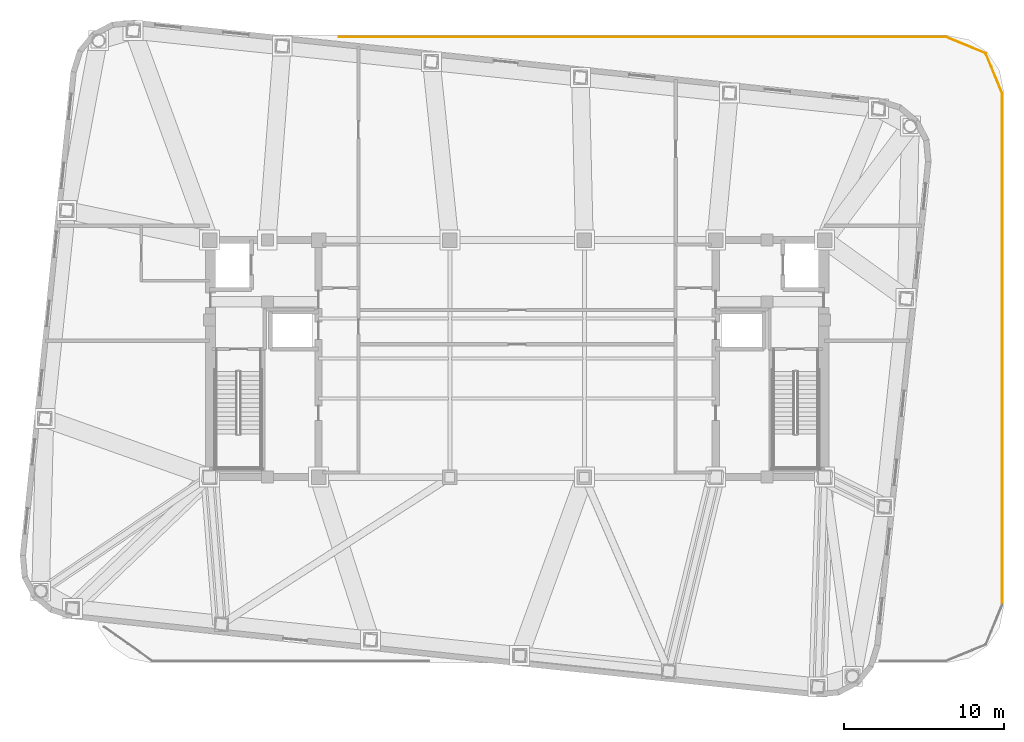
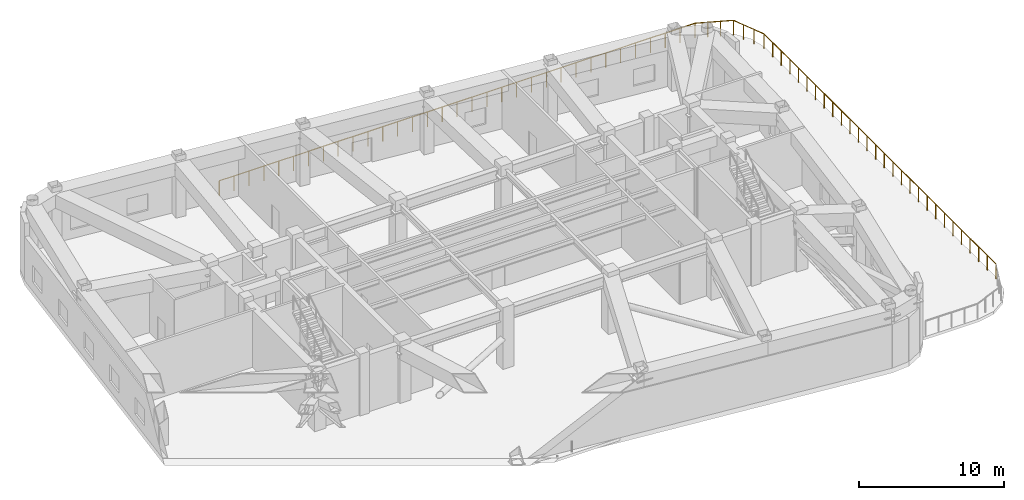
# One storey, part 9 of 9: 4 railings.
"""IFC4 building model written with IfcOpenShell, lengths in metres."""

import ifcopenshell
import ifcopenshell.guid

model = None  # the IFC model being written
_history = None  # IfcOwnerHistory: only IFC2X3 demands one
_inside = {}  # id of a spatial element -> (the spatial element, [elements in it])
_under = {}  # id of a project, library or spatial element -> (it, [spatial elements below it])
_declared = {}  # id of a project -> (the project, [libraries it declares])
_typed = {}  # id of a type object -> (the type object, [elements of that type])
_made_of = {}  # id of a material, layer set ... -> (it, [elements and type objects made of it])


def new_model(schema):
    """Start an empty IFC model of exactly this schema.

    Asked for "IFC4X3", IfcOpenShell would pick the latest addendum, in which some entities
    have other attributes; the version numbers below select the first issue.
    IFC2X3 requires an IfcOwnerHistory on every rooted entity: one is made here for all.
    """
    global model, _history
    if schema == "IFC4X3":
        model = ifcopenshell.file(schema_version=(4, 3, 0, 0))
    else:
        model = ifcopenshell.file(schema=schema)
    _inside.clear()
    _under.clear()
    _declared.clear()
    _typed.clear()
    _made_of.clear()
    _history = None
    if model.schema == "IFC2X3":
        org = make("IfcOrganization", Name="unknown")
        user = make(
            "IfcPersonAndOrganization",
            ThePerson=make("IfcPerson", FamilyName="unknown"),
            TheOrganization=org,
        )
        app = make(
            "IfcApplication",
            ApplicationDeveloper=org,
            Version="unknown",
            ApplicationFullName="unknown",
            ApplicationIdentifier="unknown",
        )
        _history = make(
            "IfcOwnerHistory",
            OwningUser=user,
            OwningApplication=app,
            ChangeAction="ADDED",
            CreationDate=0,
        )
    return model


def make(cls, **values):
    """One entity of the class cls with the attributes given. An attribute that is None is left unset."""
    return model.create_entity(
        cls, **{name: value for name, value in values.items() if value is not None}
    )


def rooted(cls, **values):
    """An entity with a GlobalId (a new one), such as an element, a storey or a relation."""
    return make(cls, GlobalId=ifcopenshell.guid.new(), OwnerHistory=_history, **values)


def si_unit(unit_type, name, prefix=None):
    """IfcSIUnit, for example si_unit("LENGTHUNIT", "METRE", prefix="MILLI")."""
    return make("IfcSIUnit", UnitType=unit_type, Prefix=prefix, Name=name)


def assignment(units):
    """IfcUnitAssignment: the units of a project."""
    return None if units is None else make("IfcUnitAssignment", Units=units)


def point(xyz):
    """IfcCartesianPoint."""
    return None if xyz is None else make("IfcCartesianPoint", Coordinates=xyz)


def direction(xyz):
    """IfcDirection."""
    return None if xyz is None else make("IfcDirection", DirectionRatios=xyz)


def frame(location, z_axis=None, x_axis=None):
    """IfcAxis2Placement3D, a coordinate frame: its origin and axes. An axis left out is left unset."""
    return make(
        "IfcAxis2Placement3D",
        Location=point(location),
        Axis=direction(z_axis),
        RefDirection=direction(x_axis),
    )


def frame_2d(location, x_axis=None):
    """IfcAxis2Placement2D, a coordinate frame in the plane: its origin and x axis."""
    return make(
        "IfcAxis2Placement2D", Location=point(location), RefDirection=direction(x_axis)
    )


def origin():
    """The frame at (0, 0, 0) with its axes left unset."""
    return frame((0.0, 0.0, 0.0))


def origin_2d():
    """The frame at (0, 0) in the plane with its x axis left unset."""
    return frame_2d((0.0, 0.0))


def place(relative_to, where):
    """IfcLocalPlacement: puts the frame where relative to a parent placement (None: the world)."""
    return make(
        "IfcLocalPlacement", PlacementRelTo=relative_to, RelativePlacement=where
    )


def context(
    kind, dimensions, precision=None, world=None, true_north=None, identifier=None
):
    """IfcGeometricRepresentationContext, for example the 3D "Model" context."""
    return make(
        "IfcGeometricRepresentationContext",
        ContextIdentifier=identifier,
        ContextType=kind,
        CoordinateSpaceDimension=dimensions,
        Precision=precision,
        WorldCoordinateSystem=world,
        TrueNorth=true_north,
    )


def subcontext(parent, identifier, kind, view, scale=None):
    """IfcGeometricRepresentationSubContext, for example "Body" below "Model"."""
    return make(
        "IfcGeometricRepresentationSubContext",
        ContextIdentifier=identifier,
        ContextType=kind,
        ParentContext=parent,
        TargetScale=scale,
        TargetView=view,
    )


def project(units=None, contexts=None):
    """IfcProject with its units and contexts."""
    return rooted(
        "IfcProject",
        Name="project",
        RepresentationContexts=contexts,
        UnitsInContext=assignment(units),
    )


def spatial(cls, under=None, at=None, **own):
    """A site, building, storey or space (cls), placed at a placement, below another one or the project."""
    s = rooted(cls, ObjectPlacement=at, **own)
    if under is not None:
        _under.setdefault(under.id(), (under, []))[1].append(s)
    return s


def profile(cls, at=None, kind="AREA", **sizes):
    """A parametric profile (cls). Its sizes go by their IFC names, for example OverallWidth=200.0."""
    return make(cls, ProfileType=kind, Position=at, **sizes)


def circle(**sizes):
    """IfcCircleProfileDef."""
    return profile("IfcCircleProfileDef", **sizes)


def extrude(swept, where, along, depth):
    """IfcExtrudedAreaSolid: the profile swept, set in the frame where, extruded along a direction by depth."""
    return make(
        "IfcExtrudedAreaSolid",
        SweptArea=swept,
        Position=where,
        ExtrudedDirection=direction(along),
        Depth=depth,
    )


def shape(context_of_items, identifier, shape_type, items):
    """IfcShapeRepresentation: the items that make up one representation, for example the "Body"."""
    return make(
        "IfcShapeRepresentation",
        ContextOfItems=context_of_items,
        RepresentationIdentifier=identifier,
        RepresentationType=shape_type,
        Items=items,
    )


def material(Name=None, Category=None):
    """IfcMaterial."""
    return make("IfcMaterial", Name=Name, Category=Category)


def made_of(thing, what):
    """Note that an element or type object is made of a material, layer set ...; save() writes the relation."""
    if what is not None:
        _made_of.setdefault(what.id(), (what, []))[1].append(thing)
    return thing


def type_object(cls, material=None, **own):
    """A type object (cls), such as IfcWallType, which elements share."""
    return made_of(rooted(cls, **own), material)


def element(
    cls,
    number,
    at=None,
    inside=None,
    cuts=None,
    type_object=None,
    material=None,
    context=None,
    identifier="Body",
    shape_type=None,
    held_by="IfcProductDefinitionShape",
    body=None,
    shapes=None,
    **own,
):
    """One element of the class cls, such as IfcWall. Its Tag is "e" and its number.

    at: its placement. inside: the storey or other place that contains it. cuts: it is an
    opening in that element (IfcRelVoidsElement). A single representation is given by context,
    identifier, shape_type and body (its items); several are given by shapes. held_by: the class
    of the entity that holds the representations. save() writes the other relations.
    """
    e = rooted(cls, Tag="e%d" % number, ObjectPlacement=at, **own)
    if body is not None:
        shapes = [shape(context, identifier, shape_type, body)]
    if shapes is not None:
        e.Representation = make(held_by, Representations=shapes)
    if inside is not None:
        _inside.setdefault(inside.id(), (inside, []))[1].append(e)
    if cuts is not None:
        rooted(
            "IfcRelVoidsElement", RelatingBuildingElement=cuts, RelatedOpeningElement=e
        )
    if type_object is not None:
        _typed.setdefault(type_object.id(), (type_object, []))[1].append(e)
    return made_of(e, material)


def aggregate(whole, parts):
    """IfcRelAggregates: a whole, such as a stair, and the parts it consists of."""
    return rooted("IfcRelAggregates", RelatingObject=whole, RelatedObjects=parts)


def save(model, path):
    """Write the relations noted so far, then the file.

    IfcRelAggregates (storeys below a building ...), IfcRelContainedInSpatialStructure (elements
    in a storey), IfcRelDefinesByType, IfcRelAssociatesMaterial and IfcRelDeclares: one each for
    every whole, place, type object, material and project.
    """
    for whole, parts in _under.values():
        aggregate(whole, parts)
    for where, things in _inside.values():
        rooted(
            "IfcRelContainedInSpatialStructure",
            RelatedElements=things,
            RelatingStructure=where,
        )
    for kind, things in _typed.values():
        rooted("IfcRelDefinesByType", RelatedObjects=things, RelatingType=kind)
    for what, things in _made_of.values():
        rooted("IfcRelAssociatesMaterial", RelatedObjects=things, RelatingMaterial=what)
    for by, libraries in _declared.values():
        rooted("IfcRelDeclares", RelatingContext=by, RelatedDefinitions=libraries)
    model.write(path)


model = new_model("IFC4")

# Units and contexts
model_context = context("Model", 3, precision=1e-05, world=origin(), true_north=direction((0.0, 1.0)))
body_context = subcontext(model_context, "Body", "Model", "MODEL_VIEW")
ifc_project = project(units=[si_unit("LENGTHUNIT", "METRE"), si_unit("AREAUNIT", "SQUARE_METRE"), si_unit("VOLUMEUNIT", "CUBIC_METRE"), si_unit("PLANEANGLEUNIT", "RADIAN"), si_unit("MASSUNIT", "GRAM", prefix="KILO")], contexts=[model_context])

# Site, building, storey
site_placement = place(None, origin())
site = spatial("IfcSite", under=ifc_project, at=site_placement, CompositionType="ELEMENT")
building_placement = place(site_placement, origin())
building = spatial("IfcBuilding", under=site, at=building_placement, Name="Voryun Gate Residences", CompositionType="ELEMENT")
storey_placement = place(building_placement, frame((0.0, 0.0, 254.800048828125)))
storey = spatial("IfcBuildingStorey", under=building, at=storey_placement, Name="L63", CompositionType="ELEMENT", Elevation=254.800048828125)

# Railings
ifc_material = material(Name="Anodised aluminium", Category="aluminium")
railing_type = type_object("IfcRailingType", Name="RAIL_TERRACE_GUARD_1250", PredefinedType="GUARDRAIL", material=ifc_material)
railing_1_placement = place(storey_placement, frame((26.7880859375, 20.080078125, 0.0)))
element("IfcRailing", 1, at=railing_1_placement, inside=storey, type_object=railing_type, Name="Terrace guard RL-L63-P1L1-01", PredefinedType="GUARDRAIL", context=body_context, shape_type="SweptSolid", body=[
    extrude(circle(Radius=0.02392578125, at=origin_2d()), frame((0.0, 0.0, 1.22607421875), z_axis=(0.924210285605, -0.381883945697, 0.0), x_axis=(0.381883945697, 0.924210285605, 0.0)), (0.0, 0.0, 1.0), 2.673583984375),
    extrude(circle(Radius=0.02099609375, at=origin_2d()), origin(), (0.0, 0.0, 1.0), 1.201904296875),
    extrude(circle(Radius=0.02099609375, at=origin_2d()), frame((0.82373046875, -0.34033203125, 0.0)), (0.0, 0.0, 1.0), 1.201904296875),
    extrude(circle(Radius=0.02099609375, at=origin_2d()), frame((1.647216796875, -0.6806640625, 0.0)), (0.0, 0.0, 1.0), 1.201904296875),
    extrude(circle(Radius=0.02099609375, at=origin_2d()), frame((2.470947265625, -1.02099609375, 0.0)), (0.0, 0.0, 1.0), 1.201904296875),
])
railing_2_placement = place(storey_placement, frame((29.259033203125, 19.05908203125, 0.0)))
element("IfcRailing", 2, at=railing_2_placement, inside=storey, type_object=railing_type, Name="Terrace guard RL-L63-P1L1-02", PredefinedType="GUARDRAIL", context=body_context, shape_type="SweptSolid", body=[
    extrude(circle(Radius=0.02392578125, at=origin_2d()), frame((0.0, 0.0, 1.22607421875), z_axis=(0.381883945697, -0.924210285605, 0.0), x_axis=(0.924210285605, 0.381883945697, 0.0)), (0.0, 0.0, 1.0), 2.673583984375),
    extrude(circle(Radius=0.02099609375, at=origin_2d()), origin(), (0.0, 0.0, 1.0), 1.201904296875),
    extrude(circle(Radius=0.02099609375, at=origin_2d()), frame((0.34033203125, -0.82373046875, 0.0)), (0.0, 0.0, 1.0), 1.201904296875),
    extrude(circle(Radius=0.02099609375, at=origin_2d()), frame((0.6806640625, -1.647216796875, 0.0)), (0.0, 0.0, 1.0), 1.201904296875),
    extrude(circle(Radius=0.02099609375, at=origin_2d()), frame((1.02099609375, -2.470947265625, 0.0)), (0.0, 0.0, 1.0), 1.201904296875),
])
railing_3_placement = place(storey_placement, frame((30.280029296875, 16.588134765625, 0.0)))
element("IfcRailing", 3, at=railing_3_placement, inside=storey, type_object=railing_type, Name="Terrace guard RL-L63-P1L1-03", PredefinedType="GUARDRAIL", context=body_context, shape_type="SweptSolid", body=[
    extrude(circle(Radius=0.02392578125, at=origin_2d()), frame((0.0, 0.0, 1.22607421875), z_axis=(0.0, -1.0, 0.0), x_axis=(1.0, 0.0, 0.0)), (0.0, 0.0, 1.0), 31.976318359375),
    extrude(circle(Radius=0.02099609375, at=origin_2d()), origin(), (0.0, 0.0, 1.0), 1.201904296875),
    extrude(circle(Radius=0.02099609375, at=origin_2d()), frame((0.0, -1.184326171875, 0.0)), (0.0, 0.0, 1.0), 1.201904296875),
    extrude(circle(Radius=0.02099609375, at=origin_2d()), frame((0.0, -2.36865234375, 0.0)), (0.0, 0.0, 1.0), 1.201904296875),
    extrude(circle(Radius=0.02099609375, at=origin_2d()), frame((0.0, -3.552978515625, 0.0)), (0.0, 0.0, 1.0), 1.201904296875),
    extrude(circle(Radius=0.02099609375, at=origin_2d()), frame((0.0, -4.7373046875, 0.0)), (0.0, 0.0, 1.0), 1.201904296875),
    extrude(circle(Radius=0.02099609375, at=origin_2d()), frame((0.0, -5.921630859375, 0.0)), (0.0, 0.0, 1.0), 1.201904296875),
    extrude(circle(Radius=0.02099609375, at=origin_2d()), frame((0.0, -7.10595703125, 0.0)), (0.0, 0.0, 1.0), 1.201904296875),
    extrude(circle(Radius=0.02099609375, at=origin_2d()), frame((0.0, -8.2900390625, 0.0)), (0.0, 0.0, 1.0), 1.201904296875),
    extrude(circle(Radius=0.02099609375, at=origin_2d()), frame((0.0, -9.474365234375, 0.0)), (0.0, 0.0, 1.0), 1.201904296875),
    extrude(circle(Radius=0.02099609375, at=origin_2d()), frame((0.0, -10.65869140625, 0.0)), (0.0, 0.0, 1.0), 1.201904296875),
    extrude(circle(Radius=0.02099609375, at=origin_2d()), frame((0.0, -11.843017578125, 0.0)), (0.0, 0.0, 1.0), 1.201904296875),
    extrude(circle(Radius=0.02099609375, at=origin_2d()), frame((0.0, -13.02734375, 0.0)), (0.0, 0.0, 1.0), 1.201904296875),
    extrude(circle(Radius=0.02099609375, at=origin_2d()), frame((0.0, -14.211669921875, 0.0)), (0.0, 0.0, 1.0), 1.201904296875),
    extrude(circle(Radius=0.02099609375, at=origin_2d()), frame((0.0, -15.39599609375, 0.0)), (0.0, 0.0, 1.0), 1.201904296875),
    extrude(circle(Radius=0.02099609375, at=origin_2d()), frame((0.0, -16.580322265625, 0.0)), (0.0, 0.0, 1.0), 1.201904296875),
    extrude(circle(Radius=0.02099609375, at=origin_2d()), frame((0.0, -17.7646484375, 0.0)), (0.0, 0.0, 1.0), 1.201904296875),
    extrude(circle(Radius=0.02099609375, at=origin_2d()), frame((0.0, -18.948974609375, 0.0)), (0.0, 0.0, 1.0), 1.201904296875),
    extrude(circle(Radius=0.02099609375, at=origin_2d()), frame((0.0, -20.13330078125, 0.0)), (0.0, 0.0, 1.0), 1.201904296875),
    extrude(circle(Radius=0.02099609375, at=origin_2d()), frame((0.0, -21.317626953125, 0.0)), (0.0, 0.0, 1.0), 1.201904296875),
    extrude(circle(Radius=0.02099609375, at=origin_2d()), frame((0.0, -22.501953125, 0.0)), (0.0, 0.0, 1.0), 1.201904296875),
    extrude(circle(Radius=0.02099609375, at=origin_2d()), frame((0.0, -23.686279296875, 0.0)), (0.0, 0.0, 1.0), 1.201904296875),
    extrude(circle(Radius=0.02099609375, at=origin_2d()), frame((0.0, -24.870361328125, 0.0)), (0.0, 0.0, 1.0), 1.201904296875),
    extrude(circle(Radius=0.02099609375, at=origin_2d()), frame((0.0, -26.0546875, 0.0)), (0.0, 0.0, 1.0), 1.201904296875),
    extrude(circle(Radius=0.02099609375, at=origin_2d()), frame((0.0, -27.239013671875, 0.0)), (0.0, 0.0, 1.0), 1.201904296875),
    extrude(circle(Radius=0.02099609375, at=origin_2d()), frame((0.0, -28.42333984375, 0.0)), (0.0, 0.0, 1.0), 1.201904296875),
    extrude(circle(Radius=0.02099609375, at=origin_2d()), frame((0.0, -29.607666015625, 0.0)), (0.0, 0.0, 1.0), 1.201904296875),
    extrude(circle(Radius=0.02099609375, at=origin_2d()), frame((0.0, -30.7919921875, 0.0)), (0.0, 0.0, 1.0), 1.201904296875),
    extrude(circle(Radius=0.02099609375, at=origin_2d()), frame((0.0, -31.976318359375, 0.0)), (0.0, 0.0, 1.0), 1.201904296875),
])
railing_4_placement = place(storey_placement, frame((-11.114501953125, 20.080078125, 0.0)))
element("IfcRailing", 4, at=railing_4_placement, inside=storey, type_object=railing_type, Name="Terrace guard RL-L63-P1L2-01", PredefinedType="GUARDRAIL", context=body_context, shape_type="SweptSolid", body=[
    extrude(circle(Radius=0.02392578125, at=origin_2d()), frame((0.0, 0.0, 1.22607421875), z_axis=(1.0, 0.0, 0.0), x_axis=(0.0, 1.0, 0.0)), (0.0, 0.0, 1.0), 37.902587890625),
    extrude(circle(Radius=0.02099609375, at=origin_2d()), origin(), (0.0, 0.0, 1.0), 1.201904296875),
    extrude(circle(Radius=0.02099609375, at=origin_2d()), frame((1.1845703125, 0.0, 0.0)), (0.0, 0.0, 1.0), 1.201904296875),
    extrude(circle(Radius=0.02099609375, at=origin_2d()), frame((2.368896484375, 0.0, 0.0)), (0.0, 0.0, 1.0), 1.201904296875),
    extrude(circle(Radius=0.02099609375, at=origin_2d()), frame((3.553466796875, 0.0, 0.0)), (0.0, 0.0, 1.0), 1.201904296875),
    extrude(circle(Radius=0.02099609375, at=origin_2d()), frame((4.73779296875, 0.0, 0.0)), (0.0, 0.0, 1.0), 1.201904296875),
    extrude(circle(Radius=0.02099609375, at=origin_2d()), frame((5.92236328125, 0.0, 0.0)), (0.0, 0.0, 1.0), 1.201904296875),
    extrude(circle(Radius=0.02099609375, at=origin_2d()), frame((7.106689453125, 0.0, 0.0)), (0.0, 0.0, 1.0), 1.201904296875),
    extrude(circle(Radius=0.02099609375, at=origin_2d()), frame((8.291259765625, 0.0, 0.0)), (0.0, 0.0, 1.0), 1.201904296875),
    extrude(circle(Radius=0.02099609375, at=origin_2d()), frame((9.4755859375, 0.0, 0.0)), (0.0, 0.0, 1.0), 1.201904296875),
    extrude(circle(Radius=0.02099609375, at=origin_2d()), frame((10.66015625, 0.0, 0.0)), (0.0, 0.0, 1.0), 1.201904296875),
    extrude(circle(Radius=0.02099609375, at=origin_2d()), frame((11.844482421875, 0.0, 0.0)), (0.0, 0.0, 1.0), 1.201904296875),
    extrude(circle(Radius=0.02099609375, at=origin_2d()), frame((13.029052734375, 0.0, 0.0)), (0.0, 0.0, 1.0), 1.201904296875),
    extrude(circle(Radius=0.02099609375, at=origin_2d()), frame((14.21337890625, 0.0, 0.0)), (0.0, 0.0, 1.0), 1.201904296875),
    extrude(circle(Radius=0.02099609375, at=origin_2d()), frame((15.39794921875, 0.0, 0.0)), (0.0, 0.0, 1.0), 1.201904296875),
    extrude(circle(Radius=0.02099609375, at=origin_2d()), frame((16.582275390625, 0.0, 0.0)), (0.0, 0.0, 1.0), 1.201904296875),
    extrude(circle(Radius=0.02099609375, at=origin_2d()), frame((17.766845703125, 0.0, 0.0)), (0.0, 0.0, 1.0), 1.201904296875),
    extrude(circle(Radius=0.02099609375, at=origin_2d()), frame((18.951171875, 0.0, 0.0)), (0.0, 0.0, 1.0), 1.201904296875),
    extrude(circle(Radius=0.02099609375, at=origin_2d()), frame((20.1357421875, 0.0, 0.0)), (0.0, 0.0, 1.0), 1.201904296875),
    extrude(circle(Radius=0.02099609375, at=origin_2d()), frame((21.3203125, 0.0, 0.0)), (0.0, 0.0, 1.0), 1.201904296875),
    extrude(circle(Radius=0.02099609375, at=origin_2d()), frame((22.504638671875, 0.0, 0.0)), (0.0, 0.0, 1.0), 1.201904296875),
    extrude(circle(Radius=0.02099609375, at=origin_2d()), frame((23.689208984375, 0.0, 0.0)), (0.0, 0.0, 1.0), 1.201904296875),
    extrude(circle(Radius=0.02099609375, at=origin_2d()), frame((24.87353515625, 0.0, 0.0)), (0.0, 0.0, 1.0), 1.201904296875),
    extrude(circle(Radius=0.02099609375, at=origin_2d()), frame((26.05810546875, 0.0, 0.0)), (0.0, 0.0, 1.0), 1.201904296875),
    extrude(circle(Radius=0.02099609375, at=origin_2d()), frame((27.242431640625, 0.0, 0.0)), (0.0, 0.0, 1.0), 1.201904296875),
    extrude(circle(Radius=0.02099609375, at=origin_2d()), frame((28.427001953125, 0.0, 0.0)), (0.0, 0.0, 1.0), 1.201904296875),
    extrude(circle(Radius=0.02099609375, at=origin_2d()), frame((29.611328125, 0.0, 0.0)), (0.0, 0.0, 1.0), 1.201904296875),
    extrude(circle(Radius=0.02099609375, at=origin_2d()), frame((30.7958984375, 0.0, 0.0)), (0.0, 0.0, 1.0), 1.201904296875),
    extrude(circle(Radius=0.02099609375, at=origin_2d()), frame((31.980224609375, 0.0, 0.0)), (0.0, 0.0, 1.0), 1.201904296875),
    extrude(circle(Radius=0.02099609375, at=origin_2d()), frame((33.164794921875, 0.0, 0.0)), (0.0, 0.0, 1.0), 1.201904296875),
    extrude(circle(Radius=0.02099609375, at=origin_2d()), frame((34.34912109375, 0.0, 0.0)), (0.0, 0.0, 1.0), 1.201904296875),
    extrude(circle(Radius=0.02099609375, at=origin_2d()), frame((35.53369140625, 0.0, 0.0)), (0.0, 0.0, 1.0), 1.201904296875),
    extrude(circle(Radius=0.02099609375, at=origin_2d()), frame((36.718017578125, 0.0, 0.0)), (0.0, 0.0, 1.0), 1.201904296875),
    extrude(circle(Radius=0.02099609375, at=origin_2d()), frame((37.902587890625, 0.0, 0.0)), (0.0, 0.0, 1.0), 1.201904296875),
])

save(model, "model.ifc")
